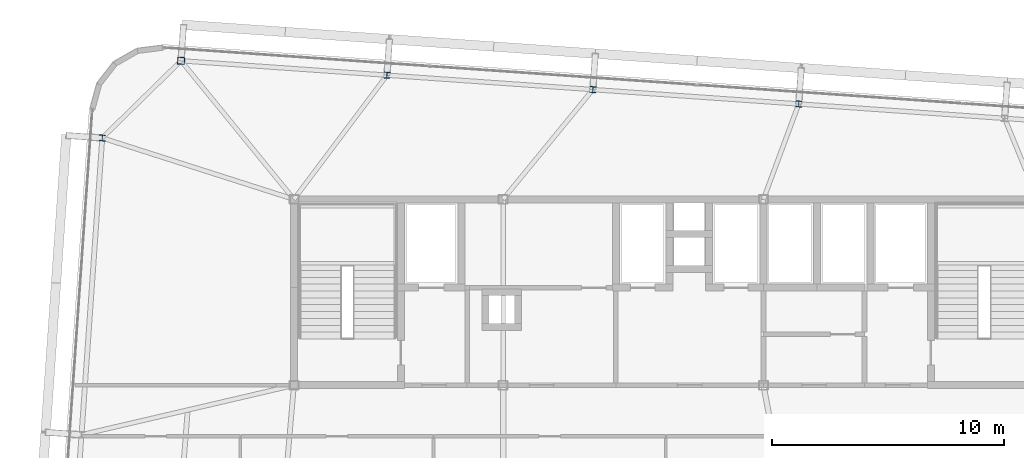
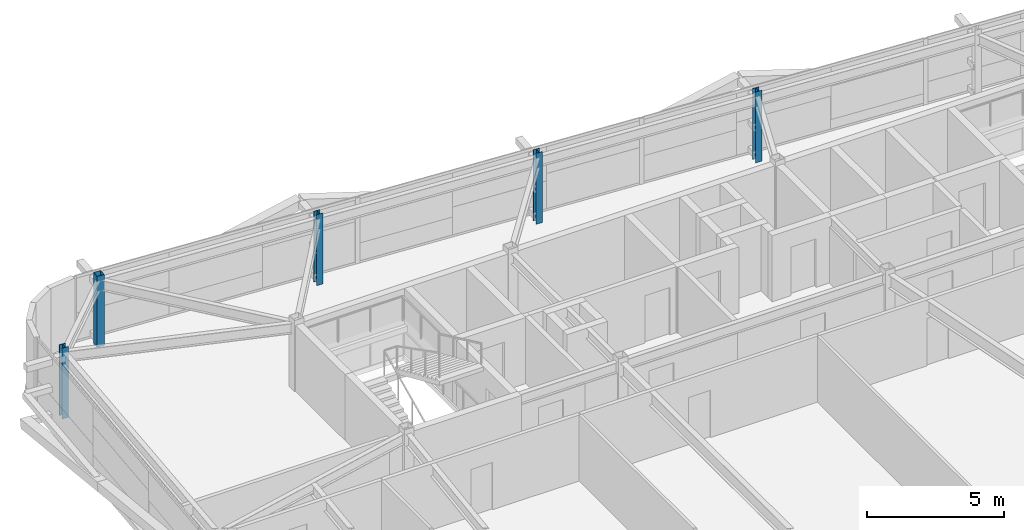
# One storey, part 4 of 39: 5 columns.
"""IFC4 building model written with IfcOpenShell, lengths in metres."""

from ifc_helpers import new_model, si_unit, direction, frame, origin, origin_2d, place, context, subcontext, project, spatial, hollow_rectangle, i_section, extrude, source, transform, mapped, material, material_profile, profile_set, type_object, element, save


model = new_model("IFC4")

# Units and contexts
model_context = context("Model", 3, precision=1e-05, world=origin(), true_north=direction((0.0, 1.0)))
body_context = subcontext(model_context, "Body", "Model", "MODEL_VIEW")
ifc_project = project(units=[si_unit("LENGTHUNIT", "METRE"), si_unit("AREAUNIT", "SQUARE_METRE"), si_unit("VOLUMEUNIT", "CUBIC_METRE"), si_unit("PLANEANGLEUNIT", "RADIAN"), si_unit("MASSUNIT", "GRAM", prefix="KILO")], contexts=[model_context])

# Site, building, storey
site_placement = place(None, origin())
site = spatial("IfcSite", under=ifc_project, at=site_placement, CompositionType="ELEMENT")
building_placement = place(site_placement, origin())
building = spatial("IfcBuilding", under=site, at=building_placement, Name="Taldren Reach Tower", CompositionType="ELEMENT")
storey_placement = place(building_placement, frame((0.0, 0.0, 145.60009765625)))
storey = spatial("IfcBuildingStorey", under=building, at=storey_placement, Name="L44", CompositionType="ELEMENT", Elevation=145.60009765625)

# Columns
ifc_material_1 = material(Name="Steel Gr 450 (C450L0)", Category="steel")
ifc_material_profile_1 = material_profile(ifc_material_1, hollow_rectangle(XDim=0.300048828125, YDim=0.300048828125, WallThickness=0.012451171875, at=origin_2d()), Name="300x300x12.5SHS")
ifc_profile_set_1 = profile_set([ifc_material_profile_1], Name="Steel Gr 450 (C450L0)")
column_type_1 = type_object("IfcColumnType", Name="COL-SHS300", PredefinedType="COLUMN", material=ifc_profile_set_1)
shared_shape_1 = source(origin(), body_context, "Body", "SweptSolid", [
    extrude(hollow_rectangle(XDim=0.300048828125, YDim=0.300048828125, WallThickness=0.012451171875, at=origin_2d()), origin(), (0.0, 0.0, 1.0), 3.14990234375),
])
column_placement = place(storey_placement, frame((14.14453125, 37.958740234375, 0.0), z_axis=(0.0, 0.0, 1.0), x_axis=(0.99756405026, -0.069756473744, 0.0)))
element("IfcColumn", 1, at=column_placement, inside=storey, type_object=column_type_1, Name="Block B3 perimeter column N1 L44", PredefinedType="COLUMN", context=body_context, shape_type="MappedRepresentation", body=[
    mapped(shared_shape_1, transform((0.0, 0.0, 0.0), scale=1.0)),
])
ifc_material_2 = material(Name="Steel Gr 350 (350PLUS)", Category="steel")
ifc_material_profile_2 = material_profile(ifc_material_2, i_section(OverallWidth=0.256103515625, OverallDepth=0.260009765625, WebThickness=0.010498046875, FlangeThickness=0.017333984375, at=origin_2d()), Name="250UC89.5")
ifc_profile_set_2 = profile_set([ifc_material_profile_2], Name="Steel Gr 350 (350PLUS)")
column_type_2 = type_object("IfcColumnType", Name="COL-UC250", PredefinedType="COLUMN", material=ifc_profile_set_2)
shared_shape_2 = source(origin(), body_context, "Body", "SweptSolid", [
    extrude(i_section(OverallWidth=0.256103515625, OverallDepth=0.260009765625, WebThickness=0.010498046875, FlangeThickness=0.017333984375, at=origin_2d()), origin(), (0.0, 0.0, 1.0), 3.14990234375),
])
for number, where, z_axis, x_axis, name in (
    (2, (23.0029296875, 37.33935546875, 0.0), (0.0, 0.0, 1.0), (0.99756405026, -0.069756473744, 0.0), "Block B3 perimeter column N2 L44"),
    (3, (31.861328125, 36.719970703125, 0.0), (0.0, 0.0, 1.0), (0.99756405026, -0.069756473744, 0.0), "Block B3 perimeter column N3 L44"),
    (4, (40.7197265625, 36.100341796875, 0.0), (0.0, 0.0, 1.0), (0.99756405026, -0.069756473744, 0.0), "Block B3 perimeter column N4 L44"),
    (5, (10.754638671875, 34.63720703125, 0.0), (0.0, 0.0, 1.0), (0.99756405026, -0.069756473744, 0.0), "Block B3 perimeter column W3 L44"),
):
    element("IfcColumn", number, at=place(storey_placement, frame(where, z_axis=z_axis, x_axis=x_axis)), inside=storey, type_object=column_type_2, Name=name, PredefinedType="COLUMN", context=body_context, shape_type="MappedRepresentation", body=[
        mapped(shared_shape_2, transform((0.0, 0.0, 0.0), scale=1.0)),
    ])

save(model, "model.ifc")
